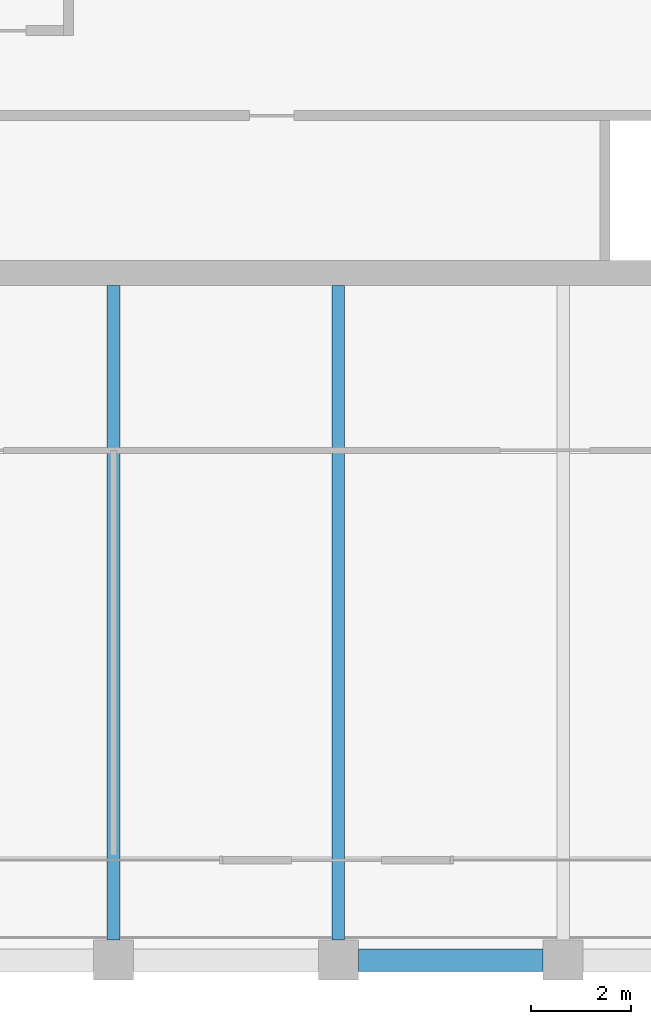
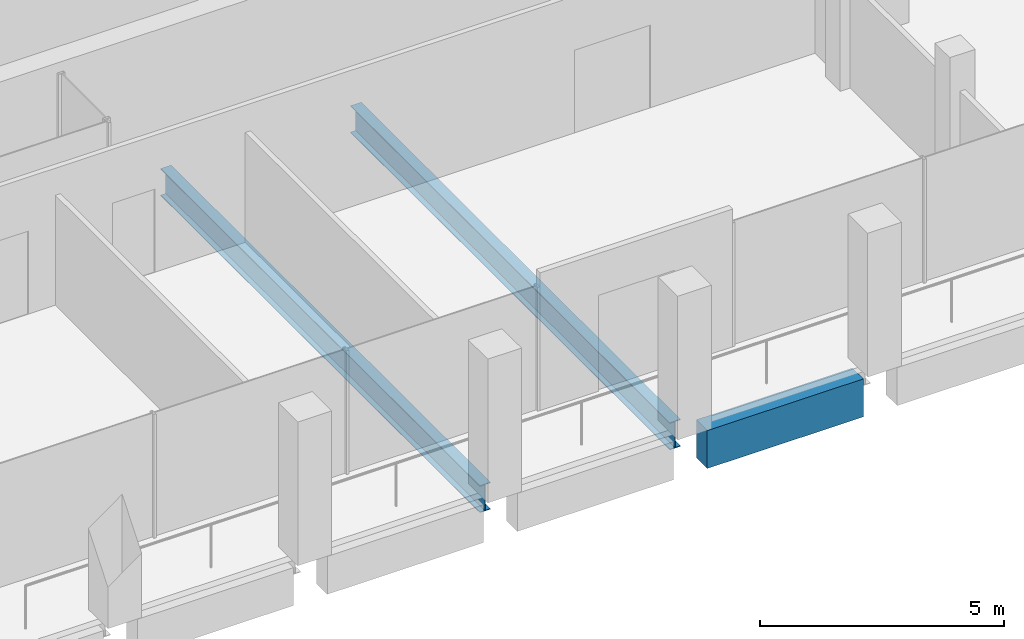
# One storey, part 8 of 30: 3 beams.
"""IFC4 building model written with IfcOpenShell, lengths in metres."""

from ifc_helpers import new_model, si_unit, direction, frame, origin, origin_2d, place, context, subcontext, project, spatial, rectangle, i_section, extrude, material, material_profile, profile_set, type_object, element, save


model = new_model("IFC4")

# Units and contexts
model_context = context("Model", 3, precision=1e-05, world=origin(), true_north=direction((0.0, 1.0)))
body_context = subcontext(model_context, "Body", "Model", "MODEL_VIEW")
ifc_project = project(units=[si_unit("LENGTHUNIT", "METRE"), si_unit("AREAUNIT", "SQUARE_METRE"), si_unit("VOLUMEUNIT", "CUBIC_METRE"), si_unit("PLANEANGLEUNIT", "RADIAN"), si_unit("MASSUNIT", "GRAM", prefix="KILO")], contexts=[model_context])

# Site, building, storey
site_placement = place(None, origin())
site = spatial("IfcSite", under=ifc_project, at=site_placement, CompositionType="ELEMENT")
building_placement = place(site_placement, origin())
building = spatial("IfcBuilding", under=site, at=building_placement, Name="Altepetl Exchange Towers", CompositionType="ELEMENT")
storey_placement = place(building_placement, frame((0.0, 0.0, 235.199951171875)))
storey = spatial("IfcBuildingStorey", under=building, at=storey_placement, Name="L60", CompositionType="ELEMENT", Elevation=235.199951171875)

# Beams
ifc_material_1 = material(Name="Steel S355", Category="steel")
ifc_material_profile_1 = material_profile(ifc_material_1, i_section(OverallWidth=0.2529296875, OverallDepth=0.677978515625, WebThickness=0.01171875, FlangeThickness=0.016357421875, at=origin_2d()), Name="W27X84")
ifc_profile_set_1 = profile_set([ifc_material_profile_1], Name="Steel S355")
beam_type_1 = type_object("IfcBeamType", Name="Floor beam W27X84", PredefinedType="BEAM", material=ifc_profile_set_1)
for number, where, z_axis, x_axis, name in (
    (1, (45.0, 27.39990234375, -0.489013671875), (0.0, 1.0, 0.0), (-1.0, 0.0, 0.0), "bm:A:L60:015"),
    (2, (49.5, 27.39990234375, -0.489013671875), (0.0, 1.0, 0.0), (-1.0, 0.0, 0.0), "bm:A:L60:016"),
):
    element("IfcBeam", number, at=place(storey_placement, frame(where, z_axis=z_axis, x_axis=x_axis)), inside=storey, type_object=beam_type_1, Name=name, PredefinedType="BEAM", context=body_context, shape_type="SweptSolid", body=[
        extrude(i_section(OverallWidth=0.2529296875, OverallDepth=0.677978515625, WebThickness=0.01171875, FlangeThickness=0.016357421875, at=origin_2d()), origin(), (0.0, 0.0, 1.0), 13.10009765625),
    ])
ifc_material_2 = material(Name="Concrete C50/60 precast with cantera blanca facing", Category="concrete")
ifc_material_profile_2 = material_profile(ifc_material_2, rectangle(XDim=0.449951171875, YDim=0.949951171875, at=origin_2d()), Name="450 x 950")
ifc_profile_set_2 = profile_set([ifc_material_profile_2], Name="Concrete C50/60 precast with cantera blanca facing")
beam_type_2 = type_object("IfcBeamType", Name="Spandrel beam 450x950 cantera blanca", PredefinedType="SPANDREL", material=ifc_profile_set_2)
beam_placement = place(storey_placement, frame((49.89990234375, 27.0, -0.625), z_axis=(1.0, 0.0, 0.0), x_axis=(0.0, 1.0, 0.0)))
element("IfcBeam", 3, at=beam_placement, inside=storey, type_object=beam_type_2, Name="sp:A:L60:004", PredefinedType="SPANDREL", context=body_context, shape_type="SweptSolid", body=[
    extrude(rectangle(XDim=0.449951171875, YDim=0.949951171875, at=origin_2d()), origin(), (0.0, 0.0, 1.0), 3.7001953125),
])

save(model, "model.ifc")
